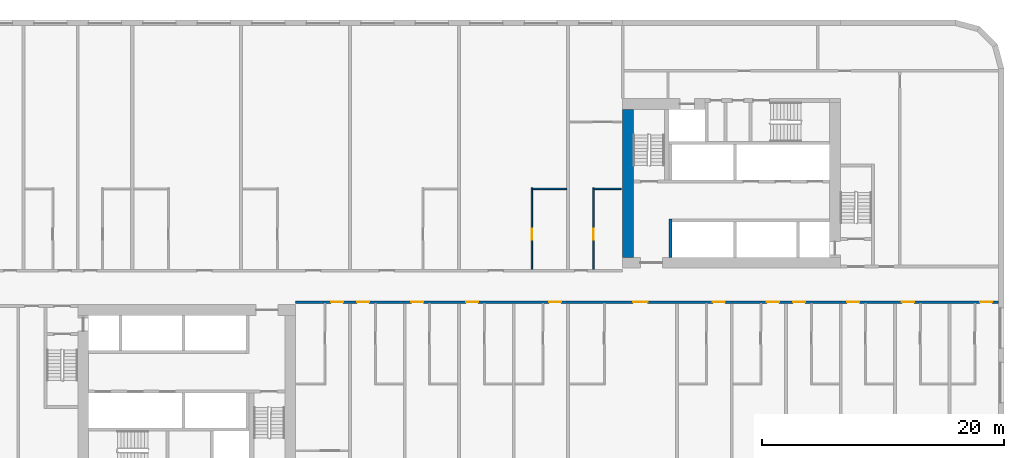
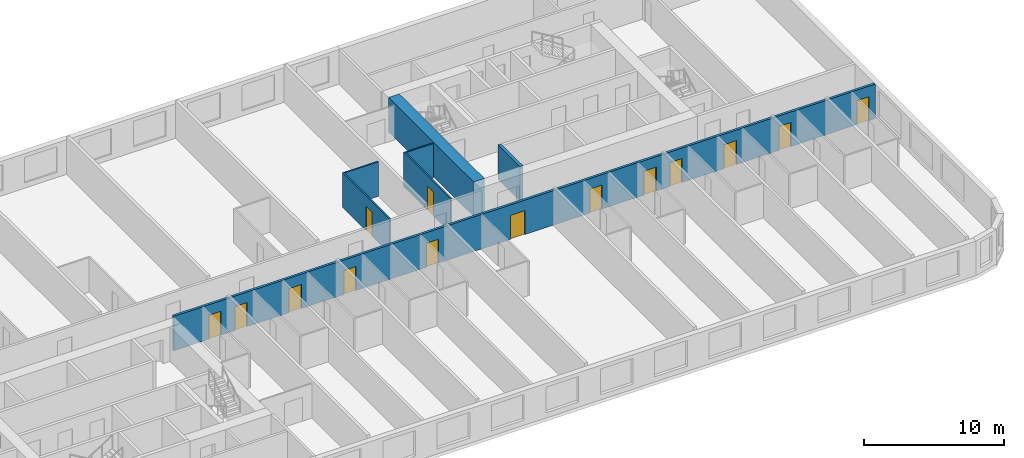
# One storey, part 5 of 12: 14 doors, 7 walls, 14 openings.
"""IFC4 building model written with IfcOpenShell, lengths in metres."""

import ifcopenshell
import ifcopenshell.guid

model = None  # the IFC model being written
_history = None  # IfcOwnerHistory: only IFC2X3 demands one
_inside = {}  # id of a spatial element -> (the spatial element, [elements in it])
_under = {}  # id of a project, library or spatial element -> (it, [spatial elements below it])
_declared = {}  # id of a project -> (the project, [libraries it declares])
_typed = {}  # id of a type object -> (the type object, [elements of that type])
_made_of = {}  # id of a material, layer set ... -> (it, [elements and type objects made of it])


def new_model(schema):
    """Start an empty IFC model of exactly this schema.

    Asked for "IFC4X3", IfcOpenShell would pick the latest addendum, in which some entities
    have other attributes; the version numbers below select the first issue.
    IFC2X3 requires an IfcOwnerHistory on every rooted entity: one is made here for all.
    """
    global model, _history
    if schema == "IFC4X3":
        model = ifcopenshell.file(schema_version=(4, 3, 0, 0))
    else:
        model = ifcopenshell.file(schema=schema)
    _inside.clear()
    _under.clear()
    _declared.clear()
    _typed.clear()
    _made_of.clear()
    _history = None
    if model.schema == "IFC2X3":
        org = make("IfcOrganization", Name="unknown")
        user = make(
            "IfcPersonAndOrganization",
            ThePerson=make("IfcPerson", FamilyName="unknown"),
            TheOrganization=org,
        )
        app = make(
            "IfcApplication",
            ApplicationDeveloper=org,
            Version="unknown",
            ApplicationFullName="unknown",
            ApplicationIdentifier="unknown",
        )
        _history = make(
            "IfcOwnerHistory",
            OwningUser=user,
            OwningApplication=app,
            ChangeAction="ADDED",
            CreationDate=0,
        )
    return model


def make(cls, **values):
    """One entity of the class cls with the attributes given. An attribute that is None is left unset."""
    return model.create_entity(
        cls, **{name: value for name, value in values.items() if value is not None}
    )


def rooted(cls, **values):
    """An entity with a GlobalId (a new one), such as an element, a storey or a relation."""
    return make(cls, GlobalId=ifcopenshell.guid.new(), OwnerHistory=_history, **values)


def si_unit(unit_type, name, prefix=None):
    """IfcSIUnit, for example si_unit("LENGTHUNIT", "METRE", prefix="MILLI")."""
    return make("IfcSIUnit", UnitType=unit_type, Prefix=prefix, Name=name)


def assignment(units):
    """IfcUnitAssignment: the units of a project."""
    return None if units is None else make("IfcUnitAssignment", Units=units)


def point(xyz):
    """IfcCartesianPoint."""
    return None if xyz is None else make("IfcCartesianPoint", Coordinates=xyz)


def direction(xyz):
    """IfcDirection."""
    return None if xyz is None else make("IfcDirection", DirectionRatios=xyz)


def frame(location, z_axis=None, x_axis=None):
    """IfcAxis2Placement3D, a coordinate frame: its origin and axes. An axis left out is left unset."""
    return make(
        "IfcAxis2Placement3D",
        Location=point(location),
        Axis=direction(z_axis),
        RefDirection=direction(x_axis),
    )


def frame_2d(location, x_axis=None):
    """IfcAxis2Placement2D, a coordinate frame in the plane: its origin and x axis."""
    return make(
        "IfcAxis2Placement2D", Location=point(location), RefDirection=direction(x_axis)
    )


def origin():
    """The frame at (0, 0, 0) with its axes left unset."""
    return frame((0.0, 0.0, 0.0))


def place(relative_to, where):
    """IfcLocalPlacement: puts the frame where relative to a parent placement (None: the world)."""
    return make(
        "IfcLocalPlacement", PlacementRelTo=relative_to, RelativePlacement=where
    )


def context(
    kind, dimensions, precision=None, world=None, true_north=None, identifier=None
):
    """IfcGeometricRepresentationContext, for example the 3D "Model" context."""
    return make(
        "IfcGeometricRepresentationContext",
        ContextIdentifier=identifier,
        ContextType=kind,
        CoordinateSpaceDimension=dimensions,
        Precision=precision,
        WorldCoordinateSystem=world,
        TrueNorth=true_north,
    )


def subcontext(parent, identifier, kind, view, scale=None):
    """IfcGeometricRepresentationSubContext, for example "Body" below "Model"."""
    return make(
        "IfcGeometricRepresentationSubContext",
        ContextIdentifier=identifier,
        ContextType=kind,
        ParentContext=parent,
        TargetScale=scale,
        TargetView=view,
    )


def project(units=None, contexts=None):
    """IfcProject with its units and contexts."""
    return rooted(
        "IfcProject",
        Name="project",
        RepresentationContexts=contexts,
        UnitsInContext=assignment(units),
    )


def spatial(cls, under=None, at=None, **own):
    """A site, building, storey or space (cls), placed at a placement, below another one or the project."""
    s = rooted(cls, ObjectPlacement=at, **own)
    if under is not None:
        _under.setdefault(under.id(), (under, []))[1].append(s)
    return s


def profile(cls, at=None, kind="AREA", **sizes):
    """A parametric profile (cls). Its sizes go by their IFC names, for example OverallWidth=200.0."""
    return make(cls, ProfileType=kind, Position=at, **sizes)


def rectangle(**sizes):
    """IfcRectangleProfileDef."""
    return profile("IfcRectangleProfileDef", **sizes)


def extrude(swept, where, along, depth):
    """IfcExtrudedAreaSolid: the profile swept, set in the frame where, extruded along a direction by depth."""
    return make(
        "IfcExtrudedAreaSolid",
        SweptArea=swept,
        Position=where,
        ExtrudedDirection=direction(along),
        Depth=depth,
    )


def shape(context_of_items, identifier, shape_type, items):
    """IfcShapeRepresentation: the items that make up one representation, for example the "Body"."""
    return make(
        "IfcShapeRepresentation",
        ContextOfItems=context_of_items,
        RepresentationIdentifier=identifier,
        RepresentationType=shape_type,
        Items=items,
    )


def material(Name=None, Category=None):
    """IfcMaterial."""
    return make("IfcMaterial", Name=Name, Category=Category)


def layer(
    of_material, thickness, ventilated=None, Name=None, Category=None, Priority=None
):
    """IfcMaterialLayer: one layer of a wall or slab, of a material (None: an air gap)."""
    return make(
        "IfcMaterialLayer",
        Material=of_material,
        LayerThickness=thickness,
        IsVentilated=ventilated,
        Name=Name,
        Category=Category,
        Priority=Priority,
    )


def layer_set(layers, Name=None):
    """IfcMaterialLayerSet."""
    return make("IfcMaterialLayerSet", MaterialLayers=layers, LayerSetName=Name)


def made_of(thing, what):
    """Note that an element or type object is made of a material, layer set ...; save() writes the relation."""
    if what is not None:
        _made_of.setdefault(what.id(), (what, []))[1].append(thing)
    return thing


def type_object(cls, material=None, **own):
    """A type object (cls), such as IfcWallType, which elements share."""
    return made_of(rooted(cls, **own), material)


def element(
    cls,
    number,
    at=None,
    inside=None,
    cuts=None,
    type_object=None,
    material=None,
    context=None,
    identifier="Body",
    shape_type=None,
    held_by="IfcProductDefinitionShape",
    body=None,
    shapes=None,
    **own,
):
    """One element of the class cls, such as IfcWall. Its Tag is "e" and its number.

    at: its placement. inside: the storey or other place that contains it. cuts: it is an
    opening in that element (IfcRelVoidsElement). A single representation is given by context,
    identifier, shape_type and body (its items); several are given by shapes. held_by: the class
    of the entity that holds the representations. save() writes the other relations.
    """
    e = rooted(cls, Tag="e%d" % number, ObjectPlacement=at, **own)
    if body is not None:
        shapes = [shape(context, identifier, shape_type, body)]
    if shapes is not None:
        e.Representation = make(held_by, Representations=shapes)
    if inside is not None:
        _inside.setdefault(inside.id(), (inside, []))[1].append(e)
    if cuts is not None:
        rooted(
            "IfcRelVoidsElement", RelatingBuildingElement=cuts, RelatedOpeningElement=e
        )
    if type_object is not None:
        _typed.setdefault(type_object.id(), (type_object, []))[1].append(e)
    return made_of(e, material)


def fill(opening, filler):
    """IfcRelFillsElement: the door or window that sits in an opening."""
    return rooted(
        "IfcRelFillsElement",
        RelatingOpeningElement=opening,
        RelatedBuildingElement=filler,
    )


def aggregate(whole, parts):
    """IfcRelAggregates: a whole, such as a stair, and the parts it consists of."""
    return rooted("IfcRelAggregates", RelatingObject=whole, RelatedObjects=parts)


def save(model, path):
    """Write the relations noted so far, then the file.

    IfcRelAggregates (storeys below a building ...), IfcRelContainedInSpatialStructure (elements
    in a storey), IfcRelDefinesByType, IfcRelAssociatesMaterial and IfcRelDeclares: one each for
    every whole, place, type object, material and project.
    """
    for whole, parts in _under.values():
        aggregate(whole, parts)
    for where, things in _inside.values():
        rooted(
            "IfcRelContainedInSpatialStructure",
            RelatedElements=things,
            RelatingStructure=where,
        )
    for kind, things in _typed.values():
        rooted("IfcRelDefinesByType", RelatedObjects=things, RelatingType=kind)
    for what, things in _made_of.values():
        rooted("IfcRelAssociatesMaterial", RelatedObjects=things, RelatingMaterial=what)
    for by, libraries in _declared.values():
        rooted("IfcRelDeclares", RelatingContext=by, RelatedDefinitions=libraries)
    model.write(path)


model = new_model("IFC4")

# Units and contexts
model_context = context("Model", 3, precision=1e-05, world=origin(), true_north=direction((0.0, 1.0)))
body_context = subcontext(model_context, "Body", "Model", "MODEL_VIEW")
ifc_project = project(units=[si_unit("LENGTHUNIT", "METRE"), si_unit("AREAUNIT", "SQUARE_METRE"), si_unit("VOLUMEUNIT", "CUBIC_METRE"), si_unit("PLANEANGLEUNIT", "RADIAN"), si_unit("MASSUNIT", "GRAM", prefix="KILO")], contexts=[model_context])

# Site, building, storey
site_placement = place(None, origin())
site = spatial("IfcSite", under=ifc_project, at=site_placement, CompositionType="ELEMENT")
building_placement = place(site_placement, origin())
building = spatial("IfcBuilding", under=site, at=building_placement, Name="Kajstack Hotel Tower", CompositionType="ELEMENT")
storey_placement = place(building_placement, frame((0.0, 0.0, 86.39990234375)))
storey = spatial("IfcBuildingStorey", under=building, at=storey_placement, Name="L17", CompositionType="ELEMENT", Elevation=86.39990234375)

# Wall
ifc_material_1 = material(Name="Concrete C60/75", Category="concrete")
ifc_layer_1 = layer(ifc_material_1, 0.89990234375)
ifc_layer_set_1 = layer_set([ifc_layer_1], Name="Core wall 900")
wall_type_1 = type_object("IfcWallType", Name="Core wall 900", PredefinedType="SHEAR", material=ifc_layer_set_1)
wall_1_placement = place(storey_placement, frame((13.949951171875, 2.39990234375, 0.0), z_axis=(0.0, 0.0, 1.0), x_axis=(0.0, 1.0, 0.0)))
element("IfcWall", 1, at=wall_1_placement, inside=storey, type_object=wall_type_1, Name="Core wall E RE", PredefinedType="SHEAR", context=body_context, shape_type="SweptSolid", body=[
    extrude(rectangle(XDim=12.2001953125, YDim=0.89990234375, at=frame_2d((6.10009765625, 0.0))), origin(), (0.0, 0.0, 1.0), 3.02001953125),
])

# Wall, openings, doors
ifc_material_2 = material(Name="Gypsum board on steel studs, mineral wool", Category="steel")
ifc_layer_2 = layer(ifc_material_2, 0.199951171875)
ifc_layer_set_2 = layer_set([ifc_layer_2], Name="Corridor wall 200")
wall_type_2 = type_object("IfcWallType", Name="Corridor wall 200", PredefinedType="PARTITIONING", material=ifc_layer_set_2)
wall_2_placement = place(storey_placement, frame((-13.5, -1.300048828125, 0.0), z_axis=(0.0, 0.0, 1.0), x_axis=(1.0, 0.0, 0.0)))
wall_2 = element("IfcWall", 2, at=wall_2_placement, inside=storey, type_object=wall_type_2, Name="G-wall-L17-024", PredefinedType="PARTITIONING", context=body_context, shape_type="SweptSolid", body=[
    extrude(rectangle(XDim=58.050048828125, YDim=0.199951171875, at=frame_2d((29.02490234375, 0.0))), origin(), (0.0, 0.0, 1.0), 3.02001953125),
])
opening_1_placement = place(wall_2_placement, frame((2.925048828125, 0.0, 0.0)))
opening_1 = element("IfcOpeningElement", 3, at=opening_1_placement, cuts=wall_2, Name="Opening 17020", PredefinedType="OPENING", context=body_context, shape_type="SweptSolid", body=[
    extrude(rectangle(XDim=1.0, YDim=2.10009765625, at=frame_2d((0.5, 1.050048828125))), frame((0.0, 0.10986328125, 0.0), z_axis=(0.0, -1.0, 0.0), x_axis=(1.0, 0.0, 0.0)), (0.0, 0.0, 1.0), 0.219970703125),
])
opening_2_placement = place(wall_2_placement, frame((5.074951171875, 0.0, 0.0)))
opening_2 = element("IfcOpeningElement", 4, at=opening_2_placement, cuts=wall_2, Name="Opening 17023", PredefinedType="OPENING", context=body_context, shape_type="SweptSolid", body=[
    extrude(rectangle(XDim=1.0, YDim=2.10009765625, at=frame_2d((0.5, 1.050048828125))), frame((0.0, 0.10986328125, 0.0), z_axis=(0.0, -1.0, 0.0), x_axis=(1.0, 0.0, 0.0)), (0.0, 0.0, 1.0), 0.219970703125),
])
opening_3_placement = place(wall_2_placement, frame((9.550048828125, 0.0, 0.0)))
opening_3 = element("IfcOpeningElement", 5, at=opening_3_placement, cuts=wall_2, Name="Opening 17025", PredefinedType="OPENING", context=body_context, shape_type="SweptSolid", body=[
    extrude(rectangle(XDim=1.0, YDim=2.10009765625, at=frame_2d((0.5, 1.050048828125))), frame((0.0, 0.10986328125, 0.0), z_axis=(0.0, -1.0, 0.0), x_axis=(1.0, 0.0, 0.0)), (0.0, 0.0, 1.0), 0.219970703125),
])
opening_4_placement = place(wall_2_placement, frame((14.074951171875, 0.0, 0.0)))
opening_4 = element("IfcOpeningElement", 6, at=opening_4_placement, cuts=wall_2, Name="Opening 17027", PredefinedType="OPENING", context=body_context, shape_type="SweptSolid", body=[
    extrude(rectangle(XDim=1.0, YDim=2.10009765625, at=frame_2d((0.5, 1.050048828125))), frame((0.0, 0.10986328125, 0.0), z_axis=(0.0, -1.0, 0.0), x_axis=(1.0, 0.0, 0.0)), (0.0, 0.0, 1.0), 0.219970703125),
])
opening_5_placement = place(wall_2_placement, frame((20.925048828125, 0.0, 0.0)))
opening_5 = element("IfcOpeningElement", 7, at=opening_5_placement, cuts=wall_2, Name="Opening 17029", PredefinedType="OPENING", context=body_context, shape_type="SweptSolid", body=[
    extrude(rectangle(XDim=1.0, YDim=2.10009765625, at=frame_2d((0.5, 1.050048828125))), frame((0.0, 0.10986328125, 0.0), z_axis=(0.0, -1.0, 0.0), x_axis=(1.0, 0.0, 0.0)), (0.0, 0.0, 1.0), 0.219970703125),
])
opening_6_placement = place(wall_2_placement, frame((27.862060546875, 0.0, 0.0)))
opening_6 = element("IfcOpeningElement", 8, at=opening_6_placement, cuts=wall_2, Name="Opening 17031", PredefinedType="OPENING", context=body_context, shape_type="SweptSolid", body=[
    extrude(rectangle(XDim=1.199951171875, YDim=2.10009765625, at=frame_2d((0.60009765625, 1.050048828125))), frame((0.0, 0.10986328125, 0.0), z_axis=(0.0, -1.0, 0.0), x_axis=(1.0, 0.0, 0.0)), (0.0, 0.0, 1.0), 0.219970703125),
])
opening_7_placement = place(wall_2_placement, frame((34.449951171875, 0.0, 0.0)))
opening_7 = element("IfcOpeningElement", 9, at=opening_7_placement, cuts=wall_2, Name="Opening 17033", PredefinedType="OPENING", context=body_context, shape_type="SweptSolid", body=[
    extrude(rectangle(XDim=1.0, YDim=2.10009765625, at=frame_2d((0.5, 1.050048828125))), frame((0.0, 0.10986328125, 0.0), z_axis=(0.0, -1.0, 0.0), x_axis=(1.0, 0.0, 0.0)), (0.0, 0.0, 1.0), 0.219970703125),
])
opening_8_placement = place(wall_2_placement, frame((38.925048828125, 0.0, 0.0)))
opening_8 = element("IfcOpeningElement", 10, at=opening_8_placement, cuts=wall_2, Name="Opening 17035", PredefinedType="OPENING", context=body_context, shape_type="SweptSolid", body=[
    extrude(rectangle(XDim=1.0, YDim=2.10009765625, at=frame_2d((0.5, 1.050048828125))), frame((0.0, 0.10986328125, 0.0), z_axis=(0.0, -1.0, 0.0), x_axis=(1.0, 0.0, 0.0)), (0.0, 0.0, 1.0), 0.219970703125),
])
opening_9_placement = place(wall_2_placement, frame((41.074951171875, 0.0, 0.0)))
opening_9 = element("IfcOpeningElement", 11, at=opening_9_placement, cuts=wall_2, Name="Opening 17037", PredefinedType="OPENING", context=body_context, shape_type="SweptSolid", body=[
    extrude(rectangle(XDim=1.0, YDim=2.10009765625, at=frame_2d((0.5, 1.050048828125))), frame((0.0, 0.10986328125, 0.0), z_axis=(0.0, -1.0, 0.0), x_axis=(1.0, 0.0, 0.0)), (0.0, 0.0, 1.0), 0.219970703125),
])
opening_10_placement = place(wall_2_placement, frame((45.550048828125, 0.0, 0.0)))
opening_10 = element("IfcOpeningElement", 12, at=opening_10_placement, cuts=wall_2, Name="Opening 17039", PredefinedType="OPENING", context=body_context, shape_type="SweptSolid", body=[
    extrude(rectangle(XDim=1.0, YDim=2.10009765625, at=frame_2d((0.5, 1.050048828125))), frame((0.0, 0.10986328125, 0.0), z_axis=(0.0, -1.0, 0.0), x_axis=(1.0, 0.0, 0.0)), (0.0, 0.0, 1.0), 0.219970703125),
])
opening_11_placement = place(wall_2_placement, frame((50.074951171875, 0.0, 0.0)))
opening_11 = element("IfcOpeningElement", 13, at=opening_11_placement, cuts=wall_2, Name="Opening 17041", PredefinedType="OPENING", context=body_context, shape_type="SweptSolid", body=[
    extrude(rectangle(XDim=1.0, YDim=2.10009765625, at=frame_2d((0.5, 1.050048828125))), frame((0.0, 0.10986328125, 0.0), z_axis=(0.0, -1.0, 0.0), x_axis=(1.0, 0.0, 0.0)), (0.0, 0.0, 1.0), 0.219970703125),
])
opening_12_placement = place(wall_2_placement, frame((56.52490234375, 0.0, 0.0)))
opening_12 = element("IfcOpeningElement", 14, at=opening_12_placement, cuts=wall_2, Name="Opening 17043", PredefinedType="OPENING", context=body_context, shape_type="SweptSolid", body=[
    extrude(rectangle(XDim=1.0, YDim=2.10009765625, at=frame_2d((0.5, 1.050048828125))), frame((0.0, 0.10986328125, 0.0), z_axis=(0.0, -1.0, 0.0), x_axis=(1.0, 0.0, 0.0)), (0.0, 0.0, 1.0), 0.219970703125),
])
ifc_material_3 = material(Name="Oak veneer on timber core, fire-rated leaf", Category="wood")
door_type_1 = type_object("IfcDoorType", Name="Flat entrance door 1000", OperationType="SINGLE_SWING_LEFT", PredefinedType="DOOR", material=ifc_material_3)
door_1_placement = place(opening_1_placement, origin())
door_1 = element("IfcDoor", 15, at=door_1_placement, inside=storey, type_object=door_type_1, Name="G-door-L17-20", OperationType="SINGLE_SWING_RIGHT", OverallHeight=2.10009765625, OverallWidth=1.0, PredefinedType="DOOR", context=body_context, shape_type="SweptSolid", body=[
    extrude(rectangle(XDim=1.0, YDim=2.10009765625, at=frame_2d((0.5, 1.050048828125))), frame((0.0, 0.02490234375, 0.0), z_axis=(0.0, -1.0, 0.0), x_axis=(1.0, 0.0, 0.0)), (0.0, 0.0, 1.0), 0.050048828125),
])
fill(opening_1, door_1)
door_2_placement = place(opening_2_placement, origin())
door_2 = element("IfcDoor", 16, at=door_2_placement, inside=storey, type_object=door_type_1, Name="G-door-L17-23", OperationType="SINGLE_SWING_LEFT", OverallHeight=2.10009765625, OverallWidth=1.0, PredefinedType="DOOR", context=body_context, shape_type="SweptSolid", body=[
    extrude(rectangle(XDim=1.0, YDim=2.10009765625, at=frame_2d((0.5, 1.050048828125))), frame((0.0, 0.02490234375, 0.0), z_axis=(0.0, -1.0, 0.0), x_axis=(1.0, 0.0, 0.0)), (0.0, 0.0, 1.0), 0.050048828125),
])
fill(opening_2, door_2)
door_3_placement = place(opening_3_placement, origin())
door_3 = element("IfcDoor", 17, at=door_3_placement, inside=storey, type_object=door_type_1, Name="G-door-L17-25", OperationType="SINGLE_SWING_LEFT", OverallHeight=2.10009765625, OverallWidth=1.0, PredefinedType="DOOR", context=body_context, shape_type="SweptSolid", body=[
    extrude(rectangle(XDim=1.0, YDim=2.10009765625, at=frame_2d((0.5, 1.050048828125))), frame((0.0, 0.02490234375, 0.0), z_axis=(0.0, -1.0, 0.0), x_axis=(1.0, 0.0, 0.0)), (0.0, 0.0, 1.0), 0.050048828125),
])
fill(opening_3, door_3)
door_4_placement = place(opening_4_placement, origin())
door_4 = element("IfcDoor", 18, at=door_4_placement, inside=storey, type_object=door_type_1, Name="G-door-L17-27", OperationType="SINGLE_SWING_RIGHT", OverallHeight=2.10009765625, OverallWidth=1.0, PredefinedType="DOOR", context=body_context, shape_type="SweptSolid", body=[
    extrude(rectangle(XDim=1.0, YDim=2.10009765625, at=frame_2d((0.5, 1.050048828125))), frame((0.0, 0.02490234375, 0.0), z_axis=(0.0, -1.0, 0.0), x_axis=(1.0, 0.0, 0.0)), (0.0, 0.0, 1.0), 0.050048828125),
])
fill(opening_4, door_4)
door_5_placement = place(opening_5_placement, origin())
door_5 = element("IfcDoor", 19, at=door_5_placement, inside=storey, type_object=door_type_1, Name="G-door-L17-29", OperationType="SINGLE_SWING_LEFT", OverallHeight=2.10009765625, OverallWidth=1.0, PredefinedType="DOOR", context=body_context, shape_type="SweptSolid", body=[
    extrude(rectangle(XDim=1.0, YDim=2.10009765625, at=frame_2d((0.5, 1.050048828125))), frame((0.0, 0.02490234375, 0.0), z_axis=(0.0, -1.0, 0.0), x_axis=(1.0, 0.0, 0.0)), (0.0, 0.0, 1.0), 0.050048828125),
])
fill(opening_5, door_5)
door_6_placement = place(opening_7_placement, origin())
door_6 = element("IfcDoor", 20, at=door_6_placement, inside=storey, type_object=door_type_1, Name="G-door-L17-33", OperationType="SINGLE_SWING_RIGHT", OverallHeight=2.10009765625, OverallWidth=1.0, PredefinedType="DOOR", context=body_context, shape_type="SweptSolid", body=[
    extrude(rectangle(XDim=1.0, YDim=2.10009765625, at=frame_2d((0.5, 1.050048828125))), frame((0.0, 0.02490234375, 0.0), z_axis=(0.0, -1.0, 0.0), x_axis=(1.0, 0.0, 0.0)), (0.0, 0.0, 1.0), 0.050048828125),
])
fill(opening_7, door_6)
door_7_placement = place(opening_8_placement, origin())
door_7 = element("IfcDoor", 21, at=door_7_placement, inside=storey, type_object=door_type_1, Name="G-door-L17-35", OperationType="SINGLE_SWING_RIGHT", OverallHeight=2.10009765625, OverallWidth=1.0, PredefinedType="DOOR", context=body_context, shape_type="SweptSolid", body=[
    extrude(rectangle(XDim=1.0, YDim=2.10009765625, at=frame_2d((0.5, 1.050048828125))), frame((0.0, 0.02490234375, 0.0), z_axis=(0.0, -1.0, 0.0), x_axis=(1.0, 0.0, 0.0)), (0.0, 0.0, 1.0), 0.050048828125),
])
fill(opening_8, door_7)
door_8_placement = place(opening_9_placement, origin())
door_8 = element("IfcDoor", 22, at=door_8_placement, inside=storey, type_object=door_type_1, Name="G-door-L17-37", OperationType="SINGLE_SWING_LEFT", OverallHeight=2.10009765625, OverallWidth=1.0, PredefinedType="DOOR", context=body_context, shape_type="SweptSolid", body=[
    extrude(rectangle(XDim=1.0, YDim=2.10009765625, at=frame_2d((0.5, 1.050048828125))), frame((0.0, 0.02490234375, 0.0), z_axis=(0.0, -1.0, 0.0), x_axis=(1.0, 0.0, 0.0)), (0.0, 0.0, 1.0), 0.050048828125),
])
fill(opening_9, door_8)
door_9_placement = place(opening_10_placement, origin())
door_9 = element("IfcDoor", 23, at=door_9_placement, inside=storey, type_object=door_type_1, Name="G-door-L17-39", OperationType="SINGLE_SWING_RIGHT", OverallHeight=2.10009765625, OverallWidth=1.0, PredefinedType="DOOR", context=body_context, shape_type="SweptSolid", body=[
    extrude(rectangle(XDim=1.0, YDim=2.10009765625, at=frame_2d((0.5, 1.050048828125))), frame((0.0, 0.02490234375, 0.0), z_axis=(0.0, -1.0, 0.0), x_axis=(1.0, 0.0, 0.0)), (0.0, 0.0, 1.0), 0.050048828125),
])
fill(opening_10, door_9)
door_10_placement = place(opening_11_placement, origin())
door_10 = element("IfcDoor", 24, at=door_10_placement, inside=storey, type_object=door_type_1, Name="G-door-L17-41", OperationType="SINGLE_SWING_LEFT", OverallHeight=2.10009765625, OverallWidth=1.0, PredefinedType="DOOR", context=body_context, shape_type="SweptSolid", body=[
    extrude(rectangle(XDim=1.0, YDim=2.10009765625, at=frame_2d((0.5, 1.050048828125))), frame((0.0, 0.02490234375, 0.0), z_axis=(0.0, -1.0, 0.0), x_axis=(1.0, 0.0, 0.0)), (0.0, 0.0, 1.0), 0.050048828125),
])
fill(opening_11, door_10)
door_11_placement = place(opening_12_placement, origin())
door_11 = element("IfcDoor", 25, at=door_11_placement, inside=storey, type_object=door_type_1, Name="G-door-L17-43", OperationType="SINGLE_SWING_LEFT", OverallHeight=2.10009765625, OverallWidth=1.0, PredefinedType="DOOR", context=body_context, shape_type="SweptSolid", body=[
    extrude(rectangle(XDim=1.0, YDim=2.10009765625, at=frame_2d((0.5, 1.050048828125))), frame((0.0, 0.02490234375, 0.0), z_axis=(0.0, -1.0, 0.0), x_axis=(1.0, 0.0, 0.0)), (0.0, 0.0, 1.0), 0.050048828125),
])
fill(opening_12, door_11)
door_type_2 = type_object("IfcDoorType", Name="Flat entrance door 1200", OperationType="SINGLE_SWING_LEFT", PredefinedType="DOOR", material=ifc_material_3)
door_12_placement = place(opening_6_placement, origin())
door_12 = element("IfcDoor", 26, at=door_12_placement, inside=storey, type_object=door_type_2, Name="G-door-L17-31", OperationType="SINGLE_SWING_RIGHT", OverallHeight=2.10009765625, OverallWidth=1.199951171875, PredefinedType="DOOR", context=body_context, shape_type="SweptSolid", body=[
    extrude(rectangle(XDim=1.199951171875, YDim=2.10009765625, at=frame_2d((0.60009765625, 1.050048828125))), frame((0.0, 0.02490234375, 0.0), z_axis=(0.0, -1.0, 0.0), x_axis=(1.0, 0.0, 0.0)), (0.0, 0.0, 1.0), 0.050048828125),
])
fill(opening_6, door_12)

# Wall, opening, door
ifc_material_4 = material(Name="Gypsum board and tiled backer on steel studs", Category="steel")
ifc_layer_3 = layer(ifc_material_4, 0.125)
ifc_layer_set_3 = layer_set([ifc_layer_3], Name="En-suite wall 125")
wall_type_3 = type_object("IfcWallType", Name="En-suite wall 125", PredefinedType="PARTITIONING", material=ifc_layer_set_3)
wall_3_placement = place(storey_placement, frame((6.012939453125, 1.39990234375, 0.0), z_axis=(0.0, 0.0, 1.0), x_axis=(0.0, 1.0, 0.0)))
wall_3 = element("IfcWall", 27, at=wall_3_placement, inside=storey, type_object=wall_type_3, Name="G-wall-L17-019", PredefinedType="PARTITIONING", context=body_context, shape_type="SweptSolid", body=[
    extrude(rectangle(XDim=6.72509765625, YDim=0.125, at=frame_2d((3.362548828125, 0.0))), origin(), (0.0, 0.0, 1.0), 3.02001953125),
])
opening_13_placement = place(wall_3_placement, frame((2.449951171875, 0.0, 0.0)))
opening_13 = element("IfcOpeningElement", 28, at=opening_13_placement, cuts=wall_3, Name="Opening 17016", PredefinedType="OPENING", context=body_context, shape_type="SweptSolid", body=[
    extrude(rectangle(XDim=0.89990234375, YDim=2.10009765625, at=frame_2d((0.449951171875, 1.050048828125))), frame((0.0, 0.072509765625, 0.0), z_axis=(0.0, -1.0, 0.0), x_axis=(1.0, 0.0, 0.0)), (0.0, 0.0, 1.0), 0.14501953125),
])
ifc_material_5 = material(Name="Painted timber door leaf", Category="wood")
door_type_3 = type_object("IfcDoorType", Name="Room door 900", OperationType="SINGLE_SWING_LEFT", PredefinedType="DOOR", material=ifc_material_5)
door_13_placement = place(opening_13_placement, origin())
door_13 = element("IfcDoor", 29, at=door_13_placement, inside=storey, type_object=door_type_3, Name="G-door-L17-16", OperationType="SINGLE_SWING_LEFT", OverallHeight=2.10009765625, OverallWidth=0.89990234375, PredefinedType="DOOR", context=body_context, shape_type="SweptSolid", body=[
    extrude(rectangle(XDim=0.89990234375, YDim=2.10009765625, at=frame_2d((0.449951171875, 1.050048828125))), frame((0.0, 0.02490234375, 0.0), z_axis=(0.0, -1.0, 0.0), x_axis=(1.0, 0.0, 0.0)), (0.0, 0.0, 1.0), 0.050048828125),
])
fill(opening_13, door_13)

# Wall
wall_4_placement = place(storey_placement, frame((6.074951171875, 8.06201171875, 0.0), z_axis=(0.0, 0.0, 1.0), x_axis=(1.0, 0.0, 0.0)))
element("IfcWall", 30, at=wall_4_placement, inside=storey, type_object=wall_type_3, Name="G-wall-L17-020", PredefinedType="PARTITIONING", context=body_context, shape_type="SweptSolid", body=[
    extrude(rectangle(XDim=2.800048828125, YDim=0.125, at=frame_2d((1.39990234375, 0.0))), origin(), (0.0, 0.0, 1.0), 3.02001953125),
])

# Wall, opening, door
wall_5_placement = place(storey_placement, frame((11.087890625, 1.39990234375, 0.0), z_axis=(0.0, 0.0, 1.0), x_axis=(0.0, 1.0, 0.0)))
wall_5 = element("IfcWall", 31, at=wall_5_placement, inside=storey, type_object=wall_type_3, Name="G-wall-L17-021", PredefinedType="PARTITIONING", context=body_context, shape_type="SweptSolid", body=[
    extrude(rectangle(XDim=6.72509765625, YDim=0.125, at=frame_2d((3.362548828125, 0.0))), origin(), (0.0, 0.0, 1.0), 3.02001953125),
])
opening_14_placement = place(wall_5_placement, frame((2.449951171875, 0.0, 0.0)))
opening_14 = element("IfcOpeningElement", 32, at=opening_14_placement, cuts=wall_5, Name="Opening 17018", PredefinedType="OPENING", context=body_context, shape_type="SweptSolid", body=[
    extrude(rectangle(XDim=0.89990234375, YDim=2.10009765625, at=frame_2d((0.449951171875, 1.050048828125))), frame((0.0, 0.072509765625, 0.0), z_axis=(0.0, -1.0, 0.0), x_axis=(1.0, 0.0, 0.0)), (0.0, 0.0, 1.0), 0.14501953125),
])
door_14_placement = place(opening_14_placement, origin())
door_14 = element("IfcDoor", 33, at=door_14_placement, inside=storey, type_object=door_type_3, Name="G-door-L17-18", OperationType="SINGLE_SWING_RIGHT", OverallHeight=2.10009765625, OverallWidth=0.89990234375, PredefinedType="DOOR", context=body_context, shape_type="SweptSolid", body=[
    extrude(rectangle(XDim=0.89990234375, YDim=2.10009765625, at=frame_2d((0.449951171875, 1.050048828125))), frame((0.0, 0.02490234375, 0.0), z_axis=(0.0, -1.0, 0.0), x_axis=(1.0, 0.0, 0.0)), (0.0, 0.0, 1.0), 0.050048828125),
])
fill(opening_14, door_14)

# Walls
wall_6_placement = place(storey_placement, frame((11.14990234375, 8.06201171875, 0.0), z_axis=(0.0, 0.0, 1.0), x_axis=(1.0, 0.0, 0.0)))
element("IfcWall", 34, at=wall_6_placement, inside=storey, type_object=wall_type_3, Name="G-wall-L17-022", PredefinedType="PARTITIONING", context=body_context, shape_type="SweptSolid", body=[
    extrude(rectangle(XDim=2.25, YDim=0.125, at=frame_2d((1.125, 0.0))), origin(), (0.0, 0.0, 1.0), 3.02001953125),
])
ifc_material_6 = material(Name="Concrete C50/60", Category="concrete")
ifc_layer_4 = layer(ifc_material_6, 0.25)
ifc_layer_set_4 = layer_set([ifc_layer_4], Name="Shaft wall 250")
wall_type_4 = type_object("IfcWallType", Name="Shaft wall 250", PredefinedType="SHEAR", material=ifc_layer_set_4)
wall_7_placement = place(storey_placement, frame((17.47509765625, 2.39990234375, 0.0), z_axis=(0.0, 0.0, 1.0), x_axis=(0.0, 1.0, 0.0)))
element("IfcWall", 35, at=wall_7_placement, inside=storey, type_object=wall_type_4, Name="Core wall E AE", PredefinedType="SHEAR", context=body_context, shape_type="SweptSolid", body=[
    extrude(rectangle(XDim=3.150146484375, YDim=0.25, at=frame_2d((1.5751953125, 0.0))), origin(), (0.0, 0.0, 1.0), 3.02001953125),
])

save(model, "model.ifc")
